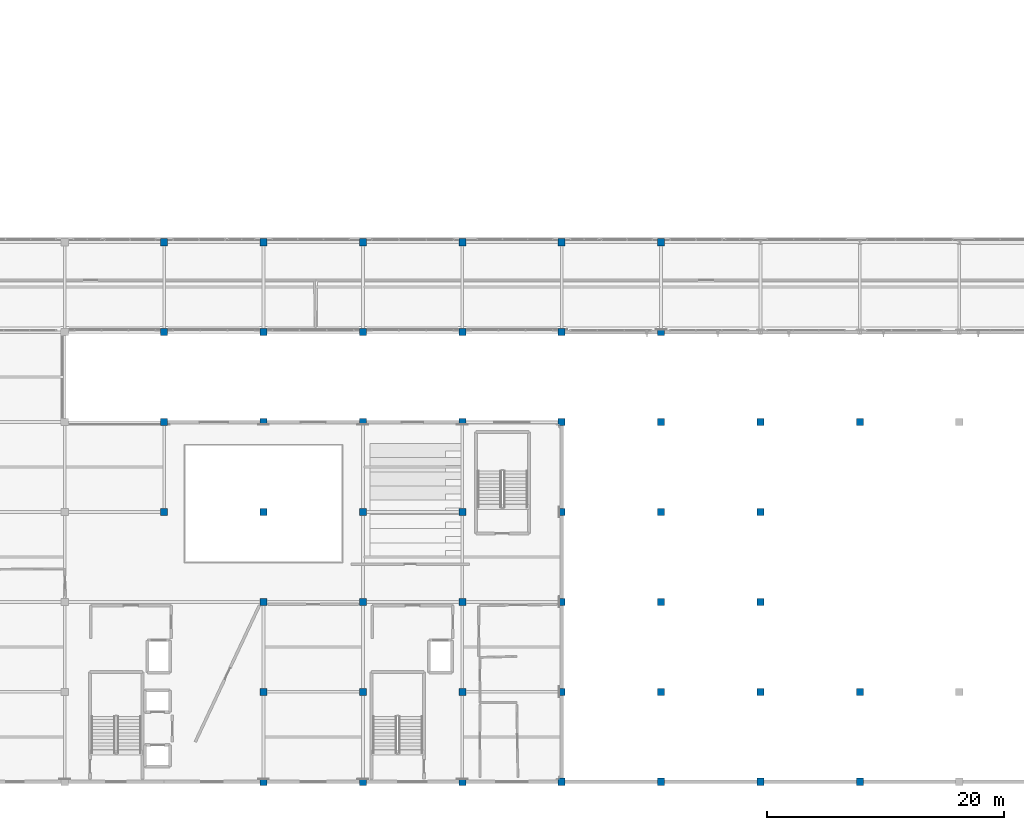
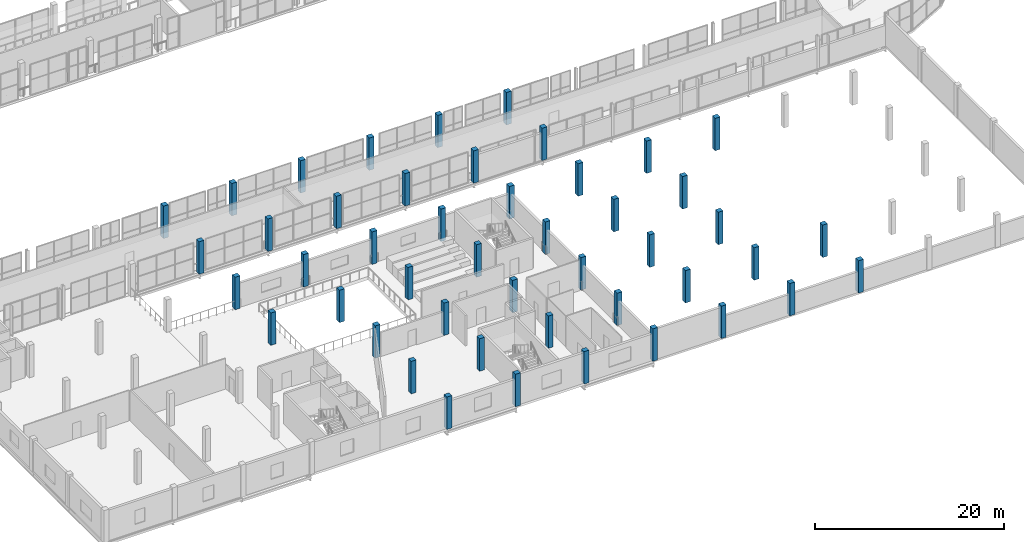
# One storey, part 4 of 151: 47 columns.
"""IFC4 building model written with IfcOpenShell, lengths in metres."""

from ifc_helpers import new_model, si_unit, direction, frame, origin, origin_2d, place, context, subcontext, project, spatial, rectangle, extrude, material, material_profile, profile_set, type_object, element, save


model = new_model("IFC4")

# Units and contexts
model_context = context("Model", 3, precision=1e-05, world=origin(), true_north=direction((0.0, 1.0)))
body_context = subcontext(model_context, "Body", "Model", "MODEL_VIEW")
ifc_project = project(units=[si_unit("LENGTHUNIT", "METRE"), si_unit("AREAUNIT", "SQUARE_METRE"), si_unit("VOLUMEUNIT", "CUBIC_METRE"), si_unit("PLANEANGLEUNIT", "RADIAN"), si_unit("MASSUNIT", "GRAM", prefix="KILO")], contexts=[model_context])

# Site, building, storey
site_placement = place(None, origin())
site = spatial("IfcSite", under=ifc_project, at=site_placement, CompositionType="ELEMENT")
building_placement = place(site_placement, origin())
building = spatial("IfcBuilding", under=site, at=building_placement, Name="Zuvorla Pavilion Media Centre", CompositionType="ELEMENT")
storey_placement = place(building_placement, frame((0.0, 0.0, 13.800048828125)))
storey = spatial("IfcBuildingStorey", under=building, at=storey_placement, Name="L03", CompositionType="ELEMENT", Elevation=13.800048828125)

# Columns
ifc_material = material(Name="Concrete C40/50", Category="concrete")
ifc_material_profile = material_profile(ifc_material, rectangle(XDim=0.60009765625, YDim=0.60009765625, at=origin_2d()), Name="RC 600x600")
ifc_profile_set = profile_set([ifc_material_profile], Name="Concrete C40/50")
column_type = type_object("IfcColumnType", Name="COL-RC600", PredefinedType="COLUMN", material=ifc_profile_set)
for number, where, z_axis, x_axis, name in (
    (1, (83.60009765625, 6.0, 0.0), (0.0, 0.0, 1.0), (1.0, 0.0, 0.0), "L03 column C03 37"),
    (2, (92.0, 6.0, 0.0), (0.0, 0.0, 1.0), (1.0, 0.0, 0.0), "L03 column C03 45"),
    (3, (100.39990234375, 6.0, 0.0), (0.0, 0.0, 1.0), (1.0, 0.0, 0.0), "L03 column C03 53"),
    (4, (108.800048828125, 6.0, 0.0), (0.0, 0.0, 1.0), (1.0, 0.0, 0.0), "L03 column C03 61"),
    (5, (117.199951171875, 6.0, 0.0), (0.0, 0.0, 1.0), (1.0, 0.0, 0.0), "L03 column C03 69"),
    (6, (125.60009765625, 6.0, 0.0), (0.0, 0.0, 1.0), (1.0, 0.0, 0.0), "L03 column C03 74"),
    (7, (134.0, 6.0, 0.0), (0.0, 0.0, 1.0), (1.0, 0.0, 0.0), "L03 column C03 79"),
    (8, (83.60009765625, 13.60009765625, 0.0), (0.0, 0.0, 1.0), (1.0, 0.0, 0.0), "L03 column C03 135"),
    (9, (92.0, 13.60009765625, 0.0), (0.0, 0.0, 1.0), (1.0, 0.0, 0.0), "L03 column C03 143"),
    (10, (100.39990234375, 13.60009765625, 0.0), (0.0, 0.0, 1.0), (1.0, 0.0, 0.0), "L03 column C03 151"),
    (11, (108.800048828125, 13.60009765625, 0.0), (0.0, 0.0, 1.0), (1.0, 0.0, 0.0), "L03 column C03 159"),
    (12, (117.199951171875, 13.60009765625, 0.0), (0.0, 0.0, 1.0), (1.0, 0.0, 0.0), "L03 column C03 167"),
    (13, (125.60009765625, 13.60009765625, 0.0), (0.0, 0.0, 1.0), (1.0, 0.0, 0.0), "L03 column C03 172"),
    (14, (134.0, 13.60009765625, 0.0), (0.0, 0.0, 1.0), (1.0, 0.0, 0.0), "L03 column C03 177"),
    (15, (83.60009765625, 21.199951171875, 0.0), (0.0, 0.0, 1.0), (1.0, 0.0, 0.0), "L03 column C03 236"),
    (16, (92.0, 21.199951171875, 0.0), (0.0, 0.0, 1.0), (1.0, 0.0, 0.0), "L03 column C03 244"),
    (17, (100.39990234375, 21.199951171875, 0.0), (0.0, 0.0, 1.0), (1.0, 0.0, 0.0), "L03 column C03 252"),
    (18, (108.800048828125, 21.199951171875, 0.0), (0.0, 0.0, 1.0), (1.0, 0.0, 0.0), "L03 column C03 260"),
    (19, (117.199951171875, 21.199951171875, 0.0), (0.0, 0.0, 1.0), (1.0, 0.0, 0.0), "L03 column C03 268"),
    (20, (125.60009765625, 21.199951171875, 0.0), (0.0, 0.0, 1.0), (1.0, 0.0, 0.0), "L03 column C03 273"),
    (21, (75.199951171875, 28.800048828125, 0.0), (0.0, 0.0, 1.0), (1.0, 0.0, 0.0), "L03 column C03 323"),
    (22, (83.60009765625, 28.800048828125, 0.0), (0.0, 0.0, 1.0), (1.0, 0.0, 0.0), "L03 column C03 331"),
    (23, (92.0, 28.800048828125, 0.0), (0.0, 0.0, 1.0), (1.0, 0.0, 0.0), "L03 column C03 339"),
    (24, (100.39990234375, 28.800048828125, 0.0), (0.0, 0.0, 1.0), (1.0, 0.0, 0.0), "L03 column C03 347"),
    (25, (108.800048828125, 28.800048828125, 0.0), (0.0, 0.0, 1.0), (1.0, 0.0, 0.0), "L03 column C03 355"),
    (26, (117.199951171875, 28.800048828125, 0.0), (0.0, 0.0, 1.0), (1.0, 0.0, 0.0), "L03 column C03 363"),
    (27, (125.60009765625, 28.800048828125, 0.0), (0.0, 0.0, 1.0), (1.0, 0.0, 0.0), "L03 column C03 368"),
    (28, (75.199951171875, 36.39990234375, 0.0), (0.0, 0.0, 1.0), (1.0, 0.0, 0.0), "L03 column C03 413"),
    (29, (83.60009765625, 36.39990234375, 0.0), (0.0, 0.0, 1.0), (1.0, 0.0, 0.0), "L03 column C03 421"),
    (30, (92.0, 36.39990234375, 0.0), (0.0, 0.0, 1.0), (1.0, 0.0, 0.0), "L03 column C03 429"),
    (31, (100.39990234375, 36.39990234375, 0.0), (0.0, 0.0, 1.0), (1.0, 0.0, 0.0), "L03 column C03 437"),
    (32, (108.800048828125, 36.39990234375, 0.0), (0.0, 0.0, 1.0), (1.0, 0.0, 0.0), "L03 column C03 445"),
    (33, (117.199951171875, 36.39990234375, 0.0), (0.0, 0.0, 1.0), (1.0, 0.0, 0.0), "L03 column C03 453"),
    (34, (125.60009765625, 36.39990234375, 0.0), (0.0, 0.0, 1.0), (1.0, 0.0, 0.0), "L03 column C03 458"),
    (35, (134.0, 36.39990234375, 0.0), (0.0, 0.0, 1.0), (1.0, 0.0, 0.0), "L03 column C03 463"),
    (36, (75.199951171875, 44.0, 0.0), (0.0, 0.0, 1.0), (1.0, 0.0, 0.0), "L03 column C03 517"),
    (37, (83.60009765625, 44.0, 0.0), (0.0, 0.0, 1.0), (1.0, 0.0, 0.0), "L03 column C03 523"),
    (38, (92.0, 44.0, 0.0), (0.0, 0.0, 1.0), (1.0, 0.0, 0.0), "L03 column C03 529"),
    (39, (100.39990234375, 44.0, 0.0), (0.0, 0.0, 1.0), (1.0, 0.0, 0.0), "L03 column C03 535"),
    (40, (108.800048828125, 44.0, 0.0), (0.0, 0.0, 1.0), (1.0, 0.0, 0.0), "L03 column C03 541"),
    (41, (117.199951171875, 44.0, 0.0), (0.0, 0.0, 1.0), (1.0, 0.0, 0.0), "L03 column C03 547"),
    (42, (75.199951171875, 51.60009765625, 0.0), (0.0, 0.0, 1.0), (1.0, 0.0, 0.0), "L03 column C03 612"),
    (43, (83.60009765625, 51.60009765625, 0.0), (0.0, 0.0, 1.0), (1.0, 0.0, 0.0), "L03 column C03 617"),
    (44, (92.0, 51.60009765625, 0.0), (0.0, 0.0, 1.0), (1.0, 0.0, 0.0), "L03 column C03 622"),
    (45, (100.39990234375, 51.60009765625, 0.0), (0.0, 0.0, 1.0), (1.0, 0.0, 0.0), "L03 column C03 627"),
    (46, (108.800048828125, 51.60009765625, 0.0), (0.0, 0.0, 1.0), (1.0, 0.0, 0.0), "L03 column C03 632"),
    (47, (117.199951171875, 51.60009765625, 0.0), (0.0, 0.0, 1.0), (1.0, 0.0, 0.0), "L03 column C03 637"),
):
    element("IfcColumn", number, at=place(storey_placement, frame(where, z_axis=z_axis, x_axis=x_axis)), inside=storey, type_object=column_type, Name=name, PredefinedType="COLUMN", context=body_context, shape_type="SweptSolid", body=[
        extrude(rectangle(XDim=0.60009765625, YDim=0.60009765625, at=origin_2d()), origin(), (0.0, 0.0, 1.0), 4.199951171875),
    ])

save(model, "model.ifc")
